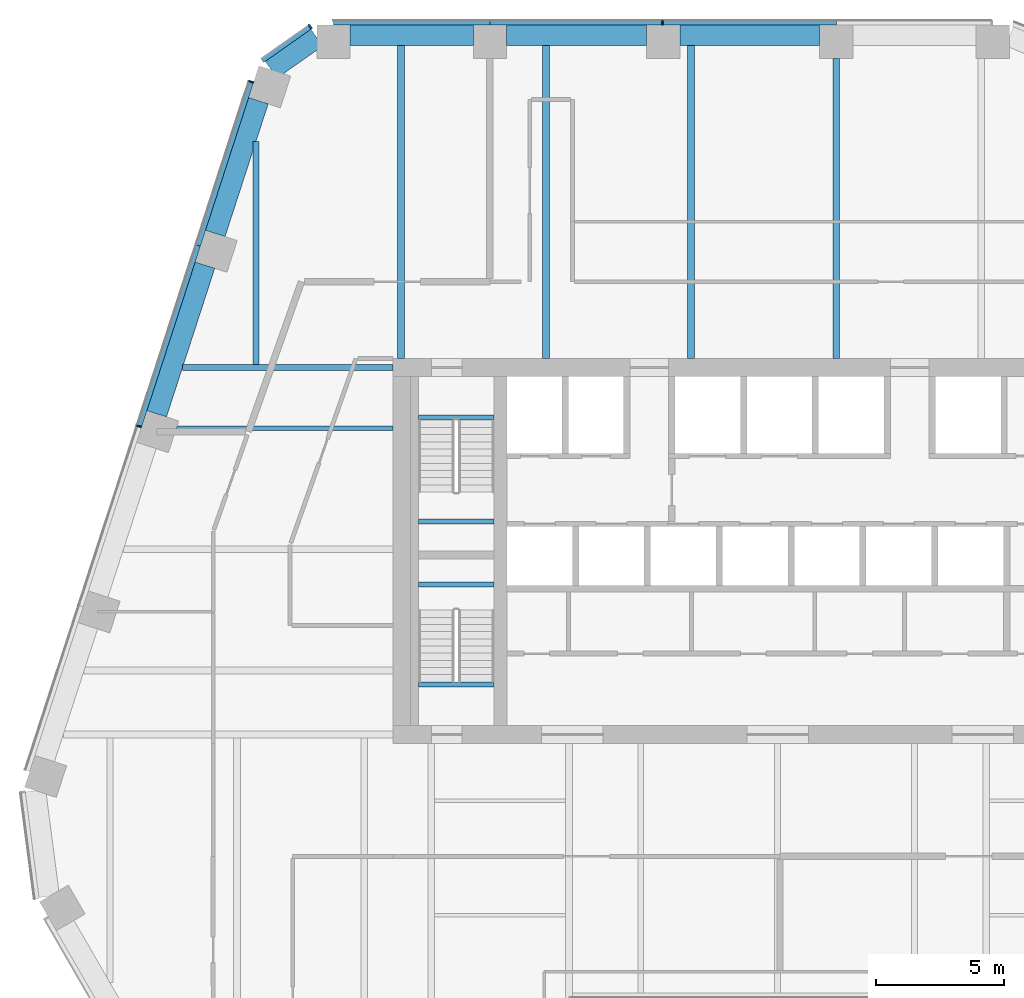
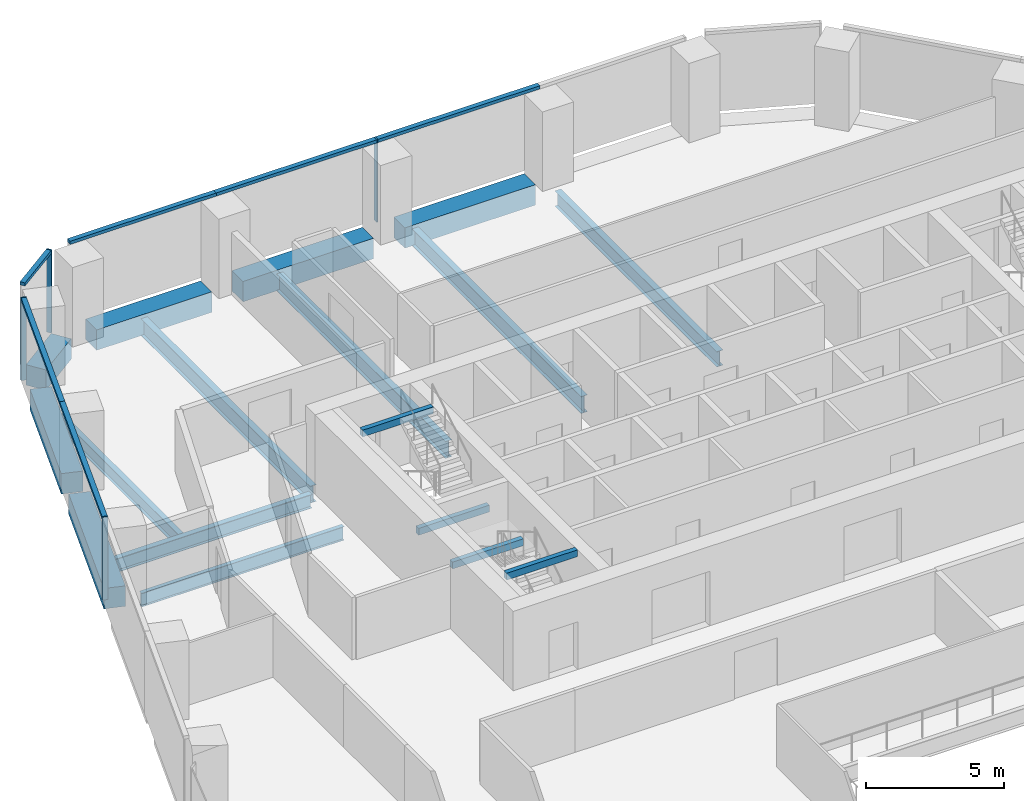
# One storey, part 7 of 17: 17 beams, 10 members, 3 elements without a shape of their own.
"""IFC4 building model written with IfcOpenShell, lengths in metres."""

from ifc_helpers import new_model, si_unit, direction, frame, origin, origin_2d, place, context, subcontext, project, spatial, rectangle, i_section, extrude, material, layer, layer_set, material_profile, profile_set, type_object, element, aggregate, save


model = new_model("IFC4")

# Units and contexts
model_context = context("Model", 3, precision=1e-05, world=origin(), true_north=direction((0.0, 1.0)))
body_context = subcontext(model_context, "Body", "Model", "MODEL_VIEW")
ifc_project = project(units=[si_unit("LENGTHUNIT", "METRE"), si_unit("AREAUNIT", "SQUARE_METRE"), si_unit("VOLUMEUNIT", "CUBIC_METRE"), si_unit("PLANEANGLEUNIT", "RADIAN"), si_unit("MASSUNIT", "GRAM", prefix="KILO")], contexts=[model_context])

# Site, building, storey
site_placement = place(None, origin())
site = spatial("IfcSite", under=ifc_project, at=site_placement, CompositionType="ELEMENT")
building_placement = place(site_placement, origin())
building = spatial("IfcBuilding", under=site, at=building_placement, Name="Isthmus Gate Tower", CompositionType="ELEMENT")
storey_placement = place(building_placement, frame((0.0, 0.0, 181.75)))
storey = spatial("IfcBuildingStorey", under=building, at=storey_placement, Name="L45", CompositionType="ELEMENT", Elevation=181.75)

# Curtain wall, member
ifc_material_1 = material(Name="Aluminium, pale champagne anodised", Category="aluminium")
ifc_layer = layer(ifc_material_1, 0.199951171875)
ifc_layer_set = layer_set([ifc_layer], Name="CW-1 UNITISED CURTAIN WALL 200 DEEP")
curtain_wall_type = type_object("IfcCurtainWallType", Name="CW-1 UNITISED CURTAIN WALL 200 DEEP", PredefinedType="NOTDEFINED", material=ifc_layer_set)
curtain_wall_1_placement = place(storey_placement, origin())
curtain_wall_1 = element("IfcCurtainWall", 1, at=curtain_wall_1_placement, inside=storey, type_object=curtain_wall_type, Name="CW-1 N L45", PredefinedType="NOTDEFINED")
ifc_material_2 = material(Name="Aluminium, pale champagne anodised", Category="aluminium")
ifc_material_profile_1 = material_profile(ifc_material_2, rectangle(XDim=0.06005859375, YDim=0.199951171875, at=origin_2d()), Name="60x200")
ifc_profile_set_1 = profile_set([ifc_material_profile_1], Name="Aluminium, pale champagne anodised")
member_type_1 = type_object("IfcMemberType", Name="CW-1 MULLION 60 X 200", PredefinedType="MULLION", material=ifc_profile_set_1)
member_1_placement = place(storey_placement, frame((-4.49169921875, 28.10009765625, 0.0), z_axis=(0.0, 0.0, 1.0), x_axis=(-1.0, 0.0, 0.0)))
member_1 = element("IfcMember", 2, at=member_1_placement, type_object=member_type_1, Name="CW-1 mullion", PredefinedType="MULLION", context=body_context, shape_type="SweptSolid", body=[
    extrude(rectangle(XDim=0.06005859375, YDim=0.199951171875, at=origin_2d()), origin(), (0.0, 0.0, 1.0), 3.64990234375),
])

curtain_wall_2_placement = place(storey_placement, origin())
curtain_wall_2 = element("IfcCurtainWall", 3, at=curtain_wall_2_placement, inside=storey, type_object=curtain_wall_type, Name="CW-1 N-NW L45", PredefinedType="NOTDEFINED")
member_2_placement = place(storey_placement, frame((-18.216552734375, 27.943115234375, 0.0), z_axis=(0.0, 0.0, 1.0), x_axis=(-0.81785959165, -0.57541783805, 0.0)))
member_2 = element("IfcMember", 4, at=member_2_placement, type_object=member_type_1, Name="CW-1 mullion", PredefinedType="MULLION", context=body_context, shape_type="SweptSolid", body=[
    extrude(rectangle(XDim=0.06005859375, YDim=0.199951171875, at=origin_2d()), origin(), (0.0, 0.0, 1.0), 3.64990234375),
])

# Curtain wall, members
curtain_wall_3_placement = place(storey_placement, origin())
curtain_wall_3 = element("IfcCurtainWall", 5, at=curtain_wall_3_placement, inside=storey, type_object=curtain_wall_type, Name="CW-1 NW L45", PredefinedType="NOTDEFINED")
member_3_placement = place(storey_placement, frame((-20.52001953125, 25.799072265625, 0.0), z_axis=(0.0, 0.0, 1.0), x_axis=(-0.309016994375, -0.951056516295, 0.0)))
member_3 = element("IfcMember", 6, at=member_3_placement, type_object=member_type_1, Name="CW-1 mullion", PredefinedType="MULLION", context=body_context, shape_type="SweptSolid", body=[
    extrude(rectangle(XDim=0.06005859375, YDim=0.199951171875, at=origin_2d()), origin(), (0.0, 0.0, 1.0), 3.64990234375),
])
member_4_placement = place(storey_placement, frame((-24.886962890625, 12.359130859375, 0.0), z_axis=(0.0, 0.0, 1.0), x_axis=(-0.309016994375, -0.951056516295, 0.0)))
member_4 = element("IfcMember", 7, at=member_4_placement, type_object=member_type_1, Name="CW-1 mullion", PredefinedType="MULLION", context=body_context, shape_type="SweptSolid", body=[
    extrude(rectangle(XDim=0.06005859375, YDim=0.199951171875, at=origin_2d()), origin(), (0.0, 0.0, 1.0), 3.64990234375),
])

# Member
ifc_material_3 = material(Name="Aluminium, pale champagne anodised", Category="aluminium")
ifc_material_profile_2 = material_profile(ifc_material_3, rectangle(XDim=0.199951171875, YDim=0.139892578125, at=origin_2d()), Name="200x140")
ifc_profile_set_2 = profile_set([ifc_material_profile_2], Name="Aluminium, pale champagne anodised")
member_type_2 = type_object("IfcMemberType", Name="CW-1 TRANSOM 200 X 140", PredefinedType="USERDEFINED", material=ifc_profile_set_2)
member_5_placement = place(storey_placement, frame((2.288330078125, 28.10009765625, 3.580078125), z_axis=(-1.0, 0.0, 0.0), x_axis=(0.0, -1.0, 0.0)))
member_5 = element("IfcMember", 8, at=member_5_placement, type_object=member_type_2, Name="CW-1 transom", ObjectType="TRANSOM", PredefinedType="USERDEFINED", context=body_context, shape_type="SweptSolid", body=[
    extrude(rectangle(XDim=0.199951171875, YDim=0.139892578125, at=origin_2d()), origin(), (0.0, 0.0, 1.0), 6.75),
])

member_6_placement = place(storey_placement, frame((-4.521728515625, 28.10009765625, 3.580078125), z_axis=(-1.0, 0.0, 0.0), x_axis=(0.0, -1.0, 0.0)))
member_6 = element("IfcMember", 9, at=member_6_placement, type_object=member_type_2, Name="CW-1 transom", ObjectType="TRANSOM", PredefinedType="USERDEFINED", context=body_context, shape_type="SweptSolid", body=[
    extrude(rectangle(XDim=0.199951171875, YDim=0.139892578125, at=origin_2d()), origin(), (0.0, 0.0, 1.0), 6.690185546875),
])

member_7_placement = place(storey_placement, frame((-11.2119140625, 28.10009765625, 3.580078125), z_axis=(-1.0, 0.0, 0.0), x_axis=(0.0, -1.0, 0.0)))
member_7 = element("IfcMember", 10, at=member_7_placement, type_object=member_type_2, Name="CW-1 transom", ObjectType="TRANSOM", PredefinedType="USERDEFINED", context=body_context, shape_type="SweptSolid", body=[
    extrude(rectangle(XDim=0.199951171875, YDim=0.139892578125, at=origin_2d()), origin(), (0.0, 0.0, 1.0), 6.10009765625),
])

aggregate(curtain_wall_1, [member_5, member_1, member_6, member_7])

member_8_placement = place(storey_placement, frame((-18.2412109375, 27.92578125, 3.580078125), z_axis=(-0.817868595604, -0.575405040233, 0.0), x_axis=(0.575405040233, -0.817868595604, 0.0)))
member_8 = element("IfcMember", 11, at=member_8_placement, type_object=member_type_2, Name="CW-1 transom", ObjectType="TRANSOM", PredefinedType="USERDEFINED", context=body_context, shape_type="SweptSolid", body=[
    extrude(rectangle(XDim=0.199951171875, YDim=0.139892578125, at=origin_2d()), origin(), (0.0, 0.0, 1.0), 2.258544921875),
])

aggregate(curtain_wall_2, [member_2, member_8])

member_9_placement = place(storey_placement, frame((-20.529296875, 25.7705078125, 3.580078125), z_axis=(-0.309015834351, -0.951056893209, 0.0), x_axis=(0.951056893209, -0.309015834351, 0.0)))
member_9 = element("IfcMember", 12, at=member_9_placement, type_object=member_type_2, Name="CW-1 transom", ObjectType="TRANSOM", PredefinedType="USERDEFINED", context=body_context, shape_type="SweptSolid", body=[
    extrude(rectangle(XDim=0.199951171875, YDim=0.139892578125, at=origin_2d()), origin(), (0.0, 0.0, 1.0), 6.6806640625),
])

member_10_placement = place(storey_placement, frame((-22.59375, 19.416748046875, 3.580078125), z_axis=(-0.309024076379, -0.951054215183, 0.0), x_axis=(0.951054215183, -0.309024076379, 0.0)))
member_10 = element("IfcMember", 13, at=member_10_placement, type_object=member_type_2, Name="CW-1 transom", ObjectType="TRANSOM", PredefinedType="USERDEFINED", context=body_context, shape_type="SweptSolid", body=[
    extrude(rectangle(XDim=0.199951171875, YDim=0.139892578125, at=origin_2d()), origin(), (0.0, 0.0, 1.0), 7.390869140625),
])

aggregate(curtain_wall_3, [member_3, member_9, member_10, member_4])

# Beams
ifc_material_4 = material(Name="Concrete f'c 60 MPa", Category="concrete")
ifc_material_profile_3 = material_profile(ifc_material_4, rectangle(XDim=0.800048828125, YDim=0.89990234375, at=origin_2d()), Name="RC 800X900")
ifc_profile_set_3 = profile_set([ifc_material_profile_3], Name="Concrete f'c 60 MPa")
beam_type_1 = type_object("IfcBeamType", Name="RC SPANDREL 800 X 900", PredefinedType="SPANDREL", material=ifc_profile_set_3)
beam_1_placement = place(storey_placement, frame((-24.201416015625, 12.851318359375, -0.449951171875), z_axis=(0.309039848514, 0.951049090232, 0.0), x_axis=(-0.951049090232, 0.309039848514, 0.0)))
element("IfcBeam", 14, at=beam_1_placement, inside=storey, type_object=beam_type_1, Name="str-spandrel-L45-23", PredefinedType="SPANDREL", context=body_context, shape_type="SweptSolid", body=[
    extrude(rectangle(XDim=0.800048828125, YDim=0.89990234375, at=origin_2d()), origin(), (0.0, 0.0, 1.0), 6.0908203125),
])
beam_2_placement = place(storey_placement, frame((-21.91748046875, 19.88037109375, -0.449951171875), z_axis=(0.309030267747, 0.951052203413, 0.0), x_axis=(-0.951052203413, 0.309030267747, 0.0)))
element("IfcBeam", 15, at=beam_2_placement, inside=storey, type_object=beam_type_1, Name="str-spandrel-L45-24", PredefinedType="SPANDREL", context=body_context, shape_type="SweptSolid", body=[
    extrude(rectangle(XDim=0.800048828125, YDim=0.89990234375, at=origin_2d()), origin(), (0.0, 0.0, 1.0), 5.44091796875),
])
beam_3_placement = place(storey_placement, frame((-19.7392578125, 26.260498046875, -0.449951171875), z_axis=(0.817857331203, 0.575421050882, 0.0), x_axis=(-0.575421050882, 0.817857331203, 0.0)))
element("IfcBeam", 16, at=beam_3_placement, inside=storey, type_object=beam_type_1, Name="str-spandrel-L45-25", PredefinedType="SPANDREL", context=body_context, shape_type="SweptSolid", body=[
    extrude(rectangle(XDim=0.800048828125, YDim=0.89990234375, at=origin_2d()), origin(), (0.0, 0.0, 1.0), 2.173095703125),
])
beam_4_placement = place(storey_placement, frame((-16.661865234375, 27.60009765625, -0.449951171875), z_axis=(1.0, 0.0, 0.0), x_axis=(0.0, 1.0, 0.0)))
element("IfcBeam", 17, at=beam_4_placement, inside=storey, type_object=beam_type_1, Name="str-spandrel-L45-26", PredefinedType="SPANDREL", context=body_context, shape_type="SweptSolid", body=[
    extrude(rectangle(XDim=0.800048828125, YDim=0.89990234375, at=origin_2d()), origin(), (0.0, 0.0, 1.0), 4.800048828125),
])
beam_5_placement = place(storey_placement, frame((-10.561767578125, 27.60009765625, -0.449951171875), z_axis=(1.0, 0.0, 0.0), x_axis=(0.0, 1.0, 0.0)))
element("IfcBeam", 18, at=beam_5_placement, inside=storey, type_object=beam_type_1, Name="str-spandrel-L45-27", PredefinedType="SPANDREL", context=body_context, shape_type="SweptSolid", body=[
    extrude(rectangle(XDim=0.800048828125, YDim=0.89990234375, at=origin_2d()), origin(), (0.0, 0.0, 1.0), 5.449951171875),
])
beam_6_placement = place(storey_placement, frame((-3.811767578125, 27.60009765625, -0.449951171875), z_axis=(1.0, 0.0, 0.0), x_axis=(0.0, 1.0, 0.0)))
element("IfcBeam", 19, at=beam_6_placement, inside=storey, type_object=beam_type_1, Name="str-spandrel-L45-28", PredefinedType="SPANDREL", context=body_context, shape_type="SweptSolid", body=[
    extrude(rectangle(XDim=0.800048828125, YDim=0.89990234375, at=origin_2d()), origin(), (0.0, 0.0, 1.0), 5.4501953125),
])
ifc_material_5 = material(Name="Concrete f'c 40 MPa", Category="concrete")
ifc_material_profile_4 = material_profile(ifc_material_5, rectangle(XDim=0.199951171875, YDim=0.300048828125, at=origin_2d()), Name="STAIR LANDING BEAM RC 200 X 300")
ifc_profile_set_4 = profile_set([ifc_material_profile_4], Name="Concrete f'c 40 MPa")
beam_type_2 = type_object("IfcBeamType", Name="STAIR LANDING BEAM RC 200 X 300", PredefinedType="BEAM", material=ifc_profile_set_4)
for number, where, z_axis, x_axis, name in (
    (20, (-14.0, 8.64990234375, 1.47509765625), (1.0, 0.0, 0.0), (0.0, 1.0, 0.0), "L45 ST1 landing beam 1"),
    (21, (-14.0, 12.7001953125, 3.35009765625), (1.0, 0.0, 0.0), (0.0, 1.0, 0.0), "L45 ST1 floor-edge seat beam"),
    (22, (-14.0, 6.199951171875, 1.47509765625), (1.0, 0.0, 0.0), (0.0, 1.0, 0.0), "L45 ST7 landing beam 1"),
    (23, (-14.0, 2.2998046875, 3.35009765625), (1.0, 0.0, 0.0), (0.0, 1.0, 0.0), "L45 ST7 floor-edge seat beam"),
):
    element("IfcBeam", number, at=place(storey_placement, frame(where, z_axis=z_axis, x_axis=x_axis)), inside=storey, type_object=beam_type_2, Name=name, PredefinedType="BEAM", context=body_context, shape_type="SweptSolid", body=[
        extrude(rectangle(XDim=0.199951171875, YDim=0.300048828125, at=origin_2d()), origin(), (0.0, 0.0, 1.0), 2.949951171875),
    ])
ifc_material_6 = material(Name="Structural steel ASTM A992 Gr 50", Category="steel")
ifc_material_profile_5 = material_profile(ifc_material_6, i_section(OverallWidth=0.177734375, OverallDepth=0.60009765625, WebThickness=0.009521484375, FlangeThickness=0.0126953125, at=origin_2d()), Name="W24X55")
ifc_profile_set_5 = profile_set([ifc_material_profile_5], Name="Structural steel ASTM A992 Gr 50")
beam_type_3 = type_object("IfcBeamType", Name="STEEL FLOOR BEAM W24X55", PredefinedType="JOIST", material=ifc_profile_set_5)
beam_7_placement = place(storey_placement, frame((-23.43798828125, 12.28857421875, -0.449951171875), z_axis=(1.0, 0.0, 0.0), x_axis=(0.0, 1.0, 0.0)))
element("IfcBeam", 24, at=beam_7_placement, inside=storey, type_object=beam_type_3, Name="str-beam-L45-01-02", PredefinedType="JOIST", context=body_context, shape_type="SweptSolid", body=[
    extrude(i_section(OverallWidth=0.177734375, OverallDepth=0.60009765625, WebThickness=0.009521484375, FlangeThickness=0.0126953125, at=origin_2d()), origin(), (0.0, 0.0, 1.0), 8.43798828125),
])
ifc_material_7 = material(Name="Structural steel ASTM A992 Gr 50", Category="steel")
ifc_material_profile_6 = material_profile(ifc_material_7, i_section(OverallWidth=0.228515625, OverallDepth=0.603271484375, WebThickness=0.010986328125, FlangeThickness=0.014404296875, at=origin_2d()), Name="W24X68")
ifc_profile_set_6 = profile_set([ifc_material_profile_6], Name="Structural steel ASTM A992 Gr 50")
beam_type_4 = type_object("IfcBeamType", Name="STEEL FLOOR BEAM W24X68", PredefinedType="JOIST", material=ifc_profile_set_6)
beam_8_placement = place(storey_placement, frame((-20.332763671875, 14.764404296875, -0.45166015625), z_axis=(0.0, 1.0, 0.0), x_axis=(-1.0, 0.0, 0.0)))
element("IfcBeam", 25, at=beam_8_placement, inside=storey, type_object=beam_type_4, Name="str-beam-L45-05-00", PredefinedType="JOIST", context=body_context, shape_type="SweptSolid", body=[
    extrude(i_section(OverallWidth=0.228515625, OverallDepth=0.603271484375, WebThickness=0.010986328125, FlangeThickness=0.014404296875, at=origin_2d()), origin(), (0.0, 0.0, 1.0), 8.69873046875),
])
ifc_material_8 = material(Name="Structural steel ASTM A992 Gr 50", Category="steel")
ifc_material_profile_7 = material_profile(ifc_material_8, i_section(OverallWidth=0.25390625, OverallDepth=0.679443359375, WebThickness=0.010986328125, FlangeThickness=0.015869140625, at=origin_2d()), Name="W27X84")
ifc_profile_set_7 = profile_set([ifc_material_profile_7], Name="Structural steel ASTM A992 Gr 50")
beam_type_5 = type_object("IfcBeamType", Name="STEEL FLOOR BEAM W27X84", PredefinedType="JOIST", material=ifc_profile_set_7)
beam_9_placement = place(storey_placement, frame((2.2783203125, 15.0, -0.48974609375), z_axis=(0.0, 1.0, 0.0), x_axis=(-1.0, 0.0, 0.0)))
element("IfcBeam", 26, at=beam_9_placement, inside=storey, type_object=beam_type_5, Name="str-beam-L45-05-04", PredefinedType="JOIST", context=body_context, shape_type="SweptSolid", body=[
    extrude(i_section(OverallWidth=0.25390625, OverallDepth=0.679443359375, WebThickness=0.010986328125, FlangeThickness=0.015869140625, at=origin_2d()), origin(), (0.0, 0.0, 1.0), 11.699951171875),
])
ifc_material_9 = material(Name="Structural steel ASTM A992 Gr 50", Category="steel")
ifc_material_profile_8 = material_profile(ifc_material_9, i_section(OverallWidth=0.263427734375, OverallDepth=0.749267578125, WebThickness=0.0126953125, FlangeThickness=0.015869140625, at=origin_2d()), Name="W30X90")
ifc_profile_set_8 = profile_set([ifc_material_profile_8], Name="Structural steel ASTM A992 Gr 50")
beam_type_6 = type_object("IfcBeamType", Name="STEEL FLOOR BEAM W30X90", PredefinedType="JOIST", material=ifc_profile_set_8)
for number, where, z_axis, x_axis, name in (
    (27, (-14.679931640625, 15.0, -0.524658203125), (0.0, 1.0, 0.0), (-1.0, 0.0, 0.0), "str-beam-L45-05-01"),
    (28, (-9.027099609375, 15.0, -0.524658203125), (0.0, 1.0, 0.0), (-1.0, 0.0, 0.0), "str-beam-L45-05-02"),
    (29, (-3.37451171875, 15.0, -0.524658203125), (0.0, 1.0, 0.0), (-1.0, 0.0, 0.0), "str-beam-L45-05-03"),
):
    element("IfcBeam", number, at=place(storey_placement, frame(where, z_axis=z_axis, x_axis=x_axis)), inside=storey, type_object=beam_type_6, Name=name, PredefinedType="JOIST", context=body_context, shape_type="SweptSolid", body=[
        extrude(i_section(OverallWidth=0.263427734375, OverallDepth=0.749267578125, WebThickness=0.0126953125, FlangeThickness=0.015869140625, at=origin_2d()), origin(), (0.0, 0.0, 1.0), 12.199951171875),
    ])
ifc_material_10 = material(Name="Structural steel ASTM A992 Gr 50", Category="steel")
ifc_material_profile_9 = material_profile(ifc_material_10, i_section(OverallWidth=0.228515625, OverallDepth=0.6064453125, WebThickness=0.010986328125, FlangeThickness=0.017578125, at=origin_2d()), Name="W24X76")
ifc_profile_set_9 = profile_set([ifc_material_profile_9], Name="Structural steel ASTM A992 Gr 50")
beam_type_7 = type_object("IfcBeamType", Name="STEEL GIRDER W24X76", PredefinedType="BEAM", material=ifc_profile_set_9)
beam_10_placement = place(storey_placement, frame((-15.0, 14.64990234375, -0.453125), z_axis=(-1.0, 0.0, 0.0), x_axis=(0.0, -1.0, 0.0)))
element("IfcBeam", 30, at=beam_10_placement, inside=storey, type_object=beam_type_7, Name="str-girder-L45-15", PredefinedType="BEAM", context=body_context, shape_type="SweptSolid", body=[
    extrude(i_section(OverallWidth=0.228515625, OverallDepth=0.6064453125, WebThickness=0.010986328125, FlangeThickness=0.017578125, at=origin_2d()), origin(), (0.0, 0.0, 1.0), 8.1962890625),
])

save(model, "model.ifc")
